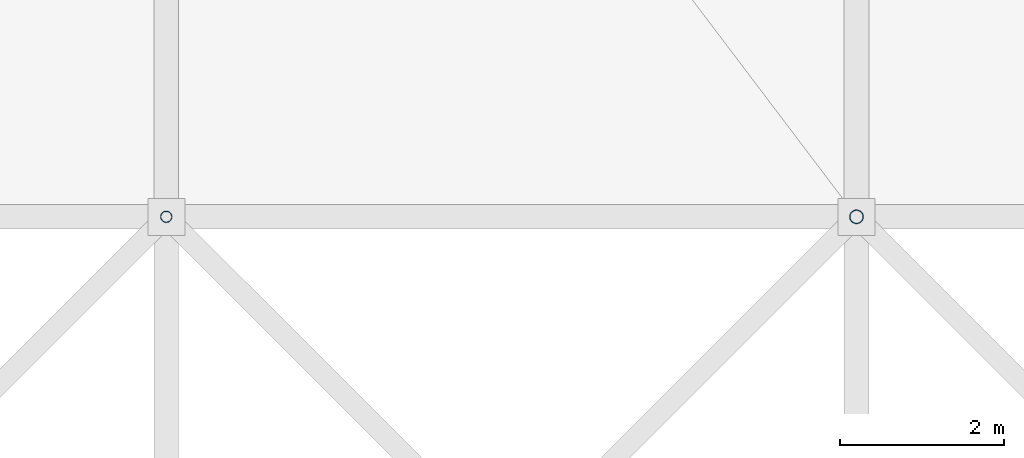
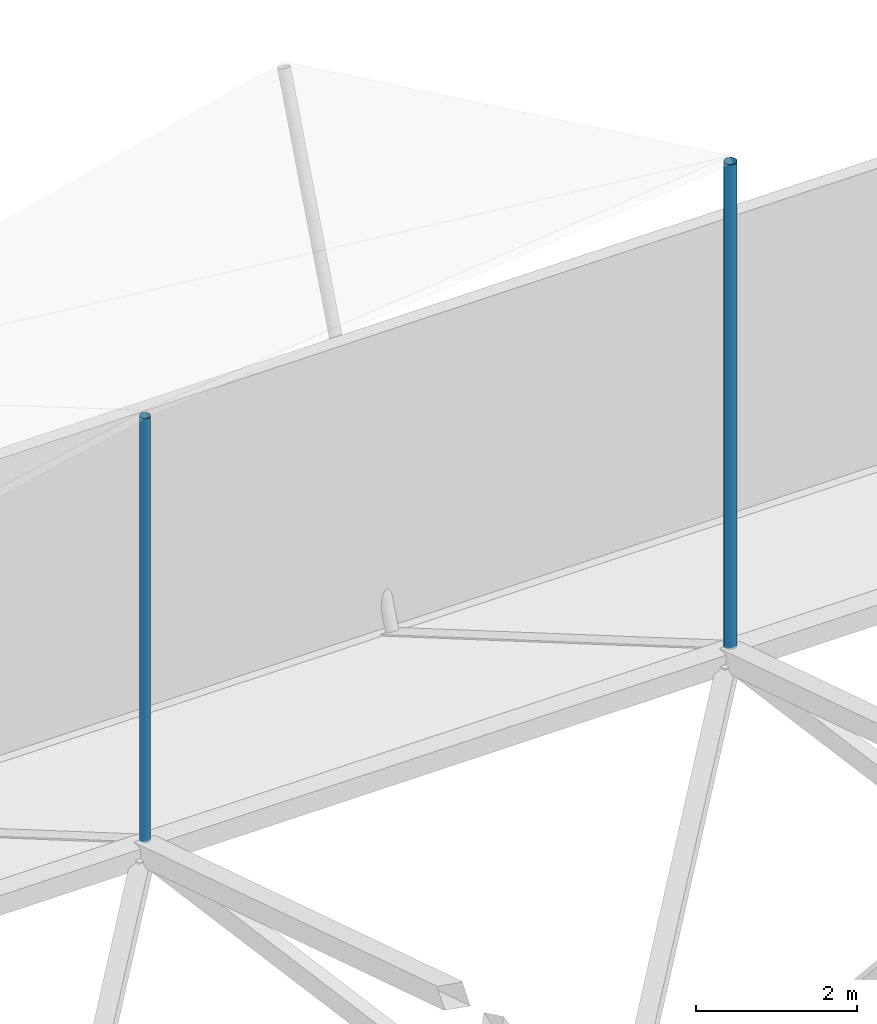
# One storey, part 93 of 111: 2 discrete accessories.
"""IFC4 building model written with IfcOpenShell, lengths in metres."""

from ifc_helpers import new_model, si_unit, direction, frame, origin, origin_2d, place, context, subcontext, project, spatial, hollow_circle, extrude, material, material_profile, profile_set, type_object, element, save


model = new_model("IFC4")

# Units and contexts
model_context = context("Model", 3, precision=1e-05, world=origin(), true_north=direction((0.0, 1.0)))
body_context = subcontext(model_context, "Body", "Model", "MODEL_VIEW")
ifc_project = project(units=[si_unit("LENGTHUNIT", "METRE"), si_unit("AREAUNIT", "SQUARE_METRE"), si_unit("VOLUMEUNIT", "CUBIC_METRE"), si_unit("PLANEANGLEUNIT", "RADIAN"), si_unit("MASSUNIT", "GRAM", prefix="KILO")], contexts=[model_context])

# Site, building, storey
site_placement = place(None, origin())
site = spatial("IfcSite", under=ifc_project, at=site_placement, CompositionType="ELEMENT")
building_placement = place(site_placement, origin())
building = spatial("IfcBuilding", under=site, at=building_placement, Name="Rain Tree Exposition and Congress Centre", CompositionType="ELEMENT")
storey_placement = place(building_placement, frame((0.0, 0.0, 19.5)))
storey = spatial("IfcBuildingStorey", under=building, at=storey_placement, Name="RF", CompositionType="ELEMENT", Elevation=19.5)

# Discrete accessories
ifc_material_1 = material(Name="Steel S355J2H", Category="steel")
ifc_material_profile_1 = material_profile(ifc_material_1, hollow_circle(Radius=0.06982421875, WallThickness=0.0048828125, at=origin_2d()), Name="CHS 140x5")
ifc_profile_set_1 = profile_set([ifc_material_profile_1], Name="Steel S355J2H")
discrete_accessory_type_1 = type_object("IfcDiscreteAccessoryType", Name="Roof skin post CHS 140x5", PredefinedType="BRACKET", material=ifc_profile_set_1)
discrete_accessory_1_placement = place(storey_placement, frame((176.39990234375, 193.199951171875, 5.39404296875), z_axis=(0.0, 0.0, 1.0), x_axis=(1.0, 0.0, 0.0)))
element("IfcDiscreteAccessory", 1, at=discrete_accessory_1_placement, inside=storey, type_object=discrete_accessory_type_1, Name="Roof skin post B148", PredefinedType="BRACKET", context=body_context, shape_type="SweptSolid", body=[
    extrude(hollow_circle(Radius=0.06982421875, WallThickness=0.0048828125, at=origin_2d()), origin(), (0.0, 0.0, 1.0), 6.43603515625),
])
ifc_material_2 = material(Name="Steel S355J2H", Category="steel")
ifc_material_profile_2 = material_profile(ifc_material_2, hollow_circle(Radius=0.084228515625, WallThickness=0.006103515625, at=origin_2d()), Name="CHS 168x6")
ifc_profile_set_2 = profile_set([ifc_material_profile_2], Name="Steel S355J2H")
discrete_accessory_type_2 = type_object("IfcDiscreteAccessoryType", Name="Roof skin post CHS 168x6", PredefinedType="BRACKET", material=ifc_profile_set_2)
discrete_accessory_2_placement = place(storey_placement, frame((184.800048828125, 193.199951171875, 5.39404296875), z_axis=(0.0, 0.0, 1.0), x_axis=(1.0, 0.0, 0.0)))
element("IfcDiscreteAccessory", 2, at=discrete_accessory_2_placement, inside=storey, type_object=discrete_accessory_type_2, Name="Roof skin post B149", PredefinedType="BRACKET", context=body_context, shape_type="SweptSolid", body=[
    extrude(hollow_circle(Radius=0.084228515625, WallThickness=0.006103515625, at=origin_2d()), origin(), (0.0, 0.0, 1.0), 7.355712890625),
])

save(model, "model.ifc")
